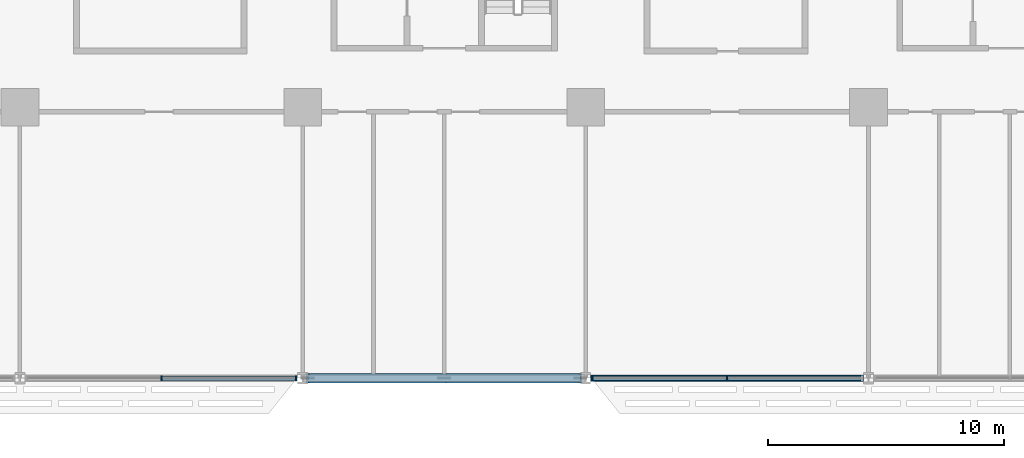
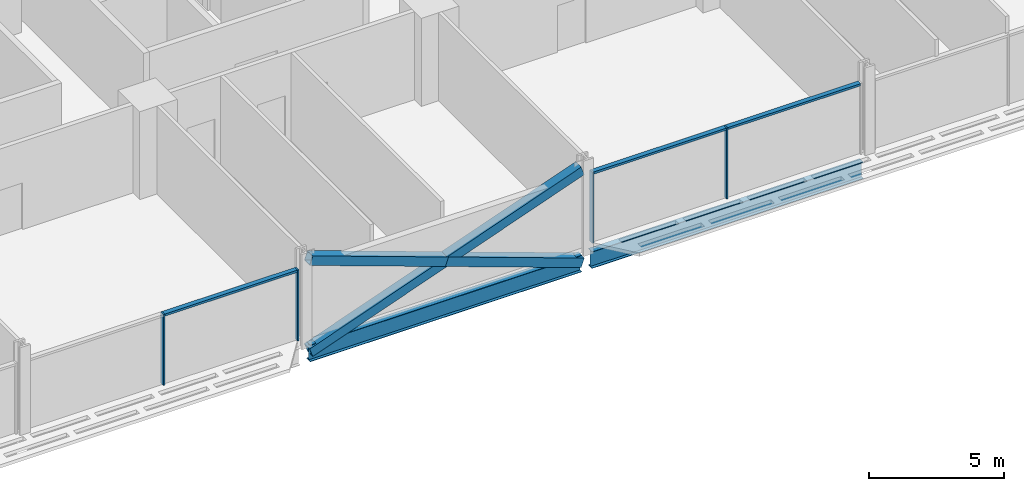
# One storey, part 4 of 27: 10 members, 2 beams, 2 elements without a shape of their own.
"""IFC4 building model written with IfcOpenShell, lengths in metres."""

from ifc_helpers import new_model, si_unit, direction, frame, origin, origin_2d, place, context, subcontext, project, spatial, rectangle, hollow_rectangle, i_section, extrude, material, material_profile, profile_set, type_object, element, aggregate, save


model = new_model("IFC4")

# Units and contexts
model_context = context("Model", 3, precision=1e-05, world=origin(), true_north=direction((0.0, 1.0)))
body_context = subcontext(model_context, "Body", "Model", "MODEL_VIEW")
ifc_project = project(units=[si_unit("LENGTHUNIT", "METRE"), si_unit("AREAUNIT", "SQUARE_METRE"), si_unit("VOLUMEUNIT", "CUBIC_METRE"), si_unit("PLANEANGLEUNIT", "RADIAN"), si_unit("MASSUNIT", "GRAM", prefix="KILO")], contexts=[model_context])

# Site, building, storey
site_placement = place(None, origin())
site = spatial("IfcSite", under=ifc_project, at=site_placement, CompositionType="ELEMENT")
building_placement = place(site_placement, origin())
building = spatial("IfcBuilding", under=site, at=building_placement, Name="Mahtab Terrace Research Tower", CompositionType="ELEMENT")
storey_placement = place(building_placement, frame((0.0, 0.0, 28.699951171875)))
storey = spatial("IfcBuildingStorey", under=building, at=storey_placement, Name="L06", CompositionType="ELEMENT", Elevation=28.699951171875)

# Members
ifc_material_1 = material(Name="Steel ASTM A500 Gr C", Category="steel")
ifc_material_profile_1 = material_profile(ifc_material_1, hollow_rectangle(XDim=0.406494140625, YDim=0.406494140625, WallThickness=0.01904296875, at=origin_2d()), Name="HSS16X16X3/4")
ifc_profile_set_1 = profile_set([ifc_material_profile_1], Name="Steel ASTM A500 Gr C")
member_type_1 = type_object("IfcMemberType", Name="HSS 16x16x3/4 brace XB161634", PredefinedType="BRACE", material=ifc_profile_set_1)
member_1_placement = place(storey_placement, frame((-5.7841796875, -23.0, -0.64111328125), z_axis=(0.941388097231, 0.0, 0.337325436917), x_axis=(0.0, 1.0, 0.0)))
element("IfcMember", 1, at=member_1_placement, inside=storey, type_object=member_type_1, Name="Exoskeleton brace L06 15 a", PredefinedType="BRACE", context=body_context, shape_type="SweptSolid", body=[
    extrude(hollow_rectangle(XDim=0.406494140625, YDim=0.406494140625, WallThickness=0.01904296875, at=origin_2d()), origin(), (0.0, 0.0, 1.0), 12.28857421875),
])
for number, where, z_axis, x_axis, name in (
    (2, (5.7841796875, -23.0, -0.64111328125), (-0.941381788192, 0.0, 0.337343043295), (0.0, -1.0, 0.0), "Exoskeleton brace L06 15 b1"),
    (3, (0.0, -23.0, 1.431640625), (-0.941394406025, 0.0, 0.337307830185), (0.0, -1.0, 0.0), "Exoskeleton brace L06 15 b2"),
):
    element("IfcMember", number, at=place(storey_placement, frame(where, z_axis=z_axis, x_axis=x_axis)), inside=storey, type_object=member_type_1, Name=name, PredefinedType="BRACE", context=body_context, shape_type="SweptSolid", body=[
        extrude(hollow_rectangle(XDim=0.406494140625, YDim=0.406494140625, WallThickness=0.01904296875, at=origin_2d()), origin(), (0.0, 0.0, 1.0), 6.144287109375),
    ])

# Curtain wall, members
ifc_material_2 = material(Name="Laboratory ribbon curtain wall")
curtain_wall_type = type_object("IfcCurtainWallType", Name="Laboratory ribbon curtain wall", PredefinedType="NOTDEFINED", material=ifc_material_2)
curtain_wall_1_placement = place(storey_placement, origin())
curtain_wall_1 = element("IfcCurtainWall", 4, at=curtain_wall_1_placement, inside=storey, type_object=curtain_wall_type, Name="EN.L06.13.24", PredefinedType="NOTDEFINED")
ifc_material_3 = material(Name="Natural anodised aluminium", Category="aluminium")
ifc_material_profile_2 = material_profile(ifc_material_3, rectangle(XDim=0.199951171875, YDim=0.06494140625, at=origin_2d()), Name="MULLION 65x200")
ifc_profile_set_2 = profile_set([ifc_material_profile_2], Name="Natural anodised aluminium")
member_type_2 = type_object("IfcMemberType", Name="Laboratory ribbon curtain wall mullion", PredefinedType="MULLION", material=ifc_profile_set_2)
member_2_placement = place(storey_placement, frame((-12.0, -23.0, 0.0), z_axis=(0.0, 0.0, 1.0), x_axis=(0.0, 1.0, 0.0)))
member_2 = element("IfcMember", 5, at=member_2_placement, type_object=member_type_2, Name="CWL-1 mullion 2", PredefinedType="MULLION", context=body_context, shape_type="SweptSolid", body=[
    extrude(rectangle(XDim=0.199951171875, YDim=0.06494140625, at=origin_2d()), origin(), (0.0, 0.0, 1.0), 3.203125),
])
member_3_placement = place(storey_placement, frame((-6.281494140625, -23.0, 0.0), z_axis=(0.0, 0.0, 1.0), x_axis=(0.0, 1.0, 0.0)))
member_3 = element("IfcMember", 6, at=member_3_placement, type_object=member_type_2, Name="CWL-1 mullion 3", PredefinedType="MULLION", context=body_context, shape_type="SweptSolid", body=[
    extrude(rectangle(XDim=0.199951171875, YDim=0.06494140625, at=origin_2d()), origin(), (0.0, 0.0, 1.0), 3.203125),
])

curtain_wall_2_placement = place(storey_placement, origin())
curtain_wall_2 = element("IfcCurtainWall", 7, at=curtain_wall_2_placement, inside=storey, type_object=curtain_wall_type, Name="EN.L06.13.26", PredefinedType="NOTDEFINED")
member_4_placement = place(storey_placement, frame((6.281494140625, -23.0, 0.0), z_axis=(0.0, 0.0, 1.0), x_axis=(0.0, 1.0, 0.0)))
member_4 = element("IfcMember", 8, at=member_4_placement, type_object=member_type_2, Name="CWL-1 mullion 1", PredefinedType="MULLION", context=body_context, shape_type="SweptSolid", body=[
    extrude(rectangle(XDim=0.199951171875, YDim=0.06494140625, at=origin_2d()), origin(), (0.0, 0.0, 1.0), 3.203125),
])
member_5_placement = place(storey_placement, frame((12.0, -23.0, 0.0), z_axis=(0.0, 0.0, 1.0), x_axis=(0.0, 1.0, 0.0)))
member_5 = element("IfcMember", 9, at=member_5_placement, type_object=member_type_2, Name="CWL-1 mullion 2", PredefinedType="MULLION", context=body_context, shape_type="SweptSolid", body=[
    extrude(rectangle(XDim=0.199951171875, YDim=0.06494140625, at=origin_2d()), origin(), (0.0, 0.0, 1.0), 3.203125),
])

# Member
ifc_material_profile_3 = material_profile(ifc_material_3, rectangle(XDim=0.199951171875, YDim=0.10009765625, at=origin_2d()), Name="TRANSOM 100x200")
ifc_profile_set_3 = profile_set([ifc_material_profile_3], Name="Natural anodised aluminium")
member_type_3 = type_object("IfcMemberType", Name="Laboratory ribbon curtain wall transom", PredefinedType="USERDEFINED", material=ifc_profile_set_3)
member_6_placement = place(storey_placement, frame((-11.967529296875, -23.0, 3.153076171875), z_axis=(1.0, 0.0, 0.0), x_axis=(0.0, 1.0, 0.0)))
member_6 = element("IfcMember", 10, at=member_6_placement, type_object=member_type_3, Name="CWL-1 transom 2", ObjectType="TRANSOM", PredefinedType="USERDEFINED", context=body_context, shape_type="SweptSolid", body=[
    extrude(rectangle(XDim=0.199951171875, YDim=0.10009765625, at=origin_2d()), origin(), (0.0, 0.0, 1.0), 5.653564453125),
])

aggregate(curtain_wall_1, [member_2, member_3, member_6])

member_7_placement = place(storey_placement, frame((6.31396484375, -23.0, 3.153076171875), z_axis=(1.0, 0.0, 0.0), x_axis=(0.0, 1.0, 0.0)))
member_7 = element("IfcMember", 11, at=member_7_placement, type_object=member_type_3, Name="CWL-1 transom 1", ObjectType="TRANSOM", PredefinedType="USERDEFINED", context=body_context, shape_type="SweptSolid", body=[
    extrude(rectangle(XDim=0.199951171875, YDim=0.10009765625, at=origin_2d()), origin(), (0.0, 0.0, 1.0), 5.653564453125),
])

member_8_placement = place(storey_placement, frame((12.032470703125, -23.0, 3.153076171875), z_axis=(1.0, 0.0, 0.0), x_axis=(0.0, 1.0, 0.0)))
member_8 = element("IfcMember", 12, at=member_8_placement, type_object=member_type_3, Name="CWL-1 transom 2", ObjectType="TRANSOM", PredefinedType="USERDEFINED", context=body_context, shape_type="SweptSolid", body=[
    extrude(rectangle(XDim=0.199951171875, YDim=0.10009765625, at=origin_2d()), origin(), (0.0, 0.0, 1.0), 5.653564453125),
])

aggregate(curtain_wall_2, [member_4, member_5, member_7, member_8])

# Beams
ifc_material_4 = material(Name="Steel ASTM A992 Gr 50", Category="steel")
ifc_material_profile_4 = material_profile(ifc_material_4, i_section(OverallWidth=0.2666015625, OverallDepth=0.7568359375, WebThickness=0.013916015625, FlangeThickness=0.019287109375, at=origin_2d()), Name="W30X108")
ifc_profile_set_4 = profile_set([ifc_material_profile_4], Name="Steel ASTM A992 Gr 50")
beam_type = type_object("IfcBeamType", Name="W30x108 beam BS30108", PredefinedType="BEAM", material=ifc_profile_set_4)
for number, where, z_axis, x_axis, name in (
    (13, (-5.7841796875, -23.0, -0.718505859375), (1.0, 0.0, 0.0), (0.0, 1.0, 0.0), "Spandrel beam L06 15"),
    (14, (6.2158203125, -23.0, -0.718505859375), (1.0, 0.0, 0.0), (0.0, 1.0, 0.0), "Spandrel beam L06 16"),
):
    element("IfcBeam", number, at=place(storey_placement, frame(where, z_axis=z_axis, x_axis=x_axis)), inside=storey, type_object=beam_type, Name=name, PredefinedType="BEAM", context=body_context, shape_type="SweptSolid", body=[
        extrude(i_section(OverallWidth=0.2666015625, OverallDepth=0.7568359375, WebThickness=0.013916015625, FlangeThickness=0.019287109375, at=origin_2d()), origin(), (0.0, 0.0, 1.0), 11.568359375),
    ])

save(model, "model.ifc")
